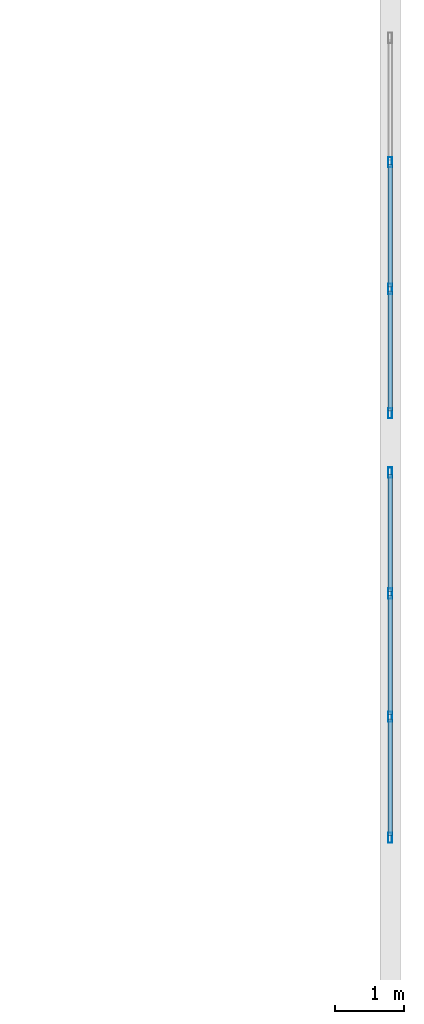
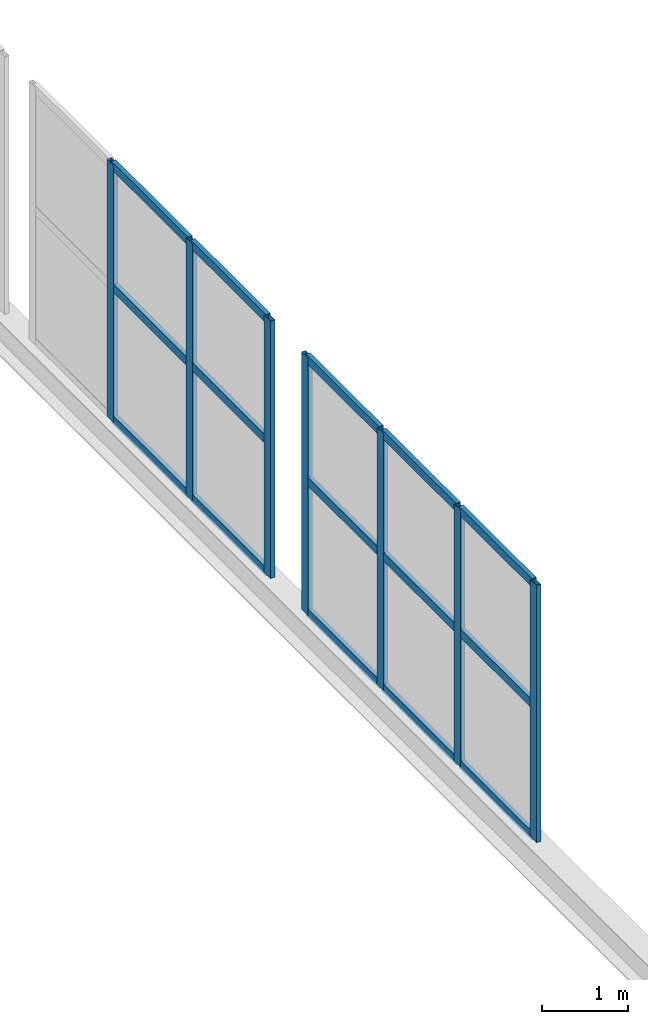
# One storey, part 157 of 218: 22 members, 2 elements without a shape of their own.
"""IFC4 building model written with IfcOpenShell, lengths in metres."""

from ifc_helpers import new_model, si_unit, direction, frame, origin, origin_2d, place, context, subcontext, project, spatial, hollow_rectangle, extrude, material, material_profile, profile_set, type_object, element, aggregate, save


model = new_model("IFC4")

# Units and contexts
model_context = context("Model", 3, precision=1e-05, world=origin(), true_north=direction((0.0, 1.0)))
body_context = subcontext(model_context, "Body", "Model", "MODEL_VIEW")
ifc_project = project(units=[si_unit("LENGTHUNIT", "METRE"), si_unit("AREAUNIT", "SQUARE_METRE"), si_unit("VOLUMEUNIT", "CUBIC_METRE"), si_unit("PLANEANGLEUNIT", "RADIAN"), si_unit("MASSUNIT", "GRAM", prefix="KILO")], contexts=[model_context])

# Site, building, storey
site_placement = place(None, origin())
site = spatial("IfcSite", under=ifc_project, at=site_placement, CompositionType="ELEMENT")
building_placement = place(site_placement, origin())
building = spatial("IfcBuilding", under=site, at=building_placement, Name="Kazenagashi Tramway Depot", CompositionType="ELEMENT")
storey_placement = place(building_placement, frame((0.0, 0.0, 6.0)))
storey = spatial("IfcBuildingStorey", under=building, at=storey_placement, Name="L02", CompositionType="ELEMENT", Elevation=6.0)

# Curtain wall, members
ifc_material_1 = material(Name="Anodised Aluminium and Low-E Glazing", Category="aluminium")
curtain_wall_type_1 = type_object("IfcCurtainWallType", Name="CW-06", PredefinedType="USERDEFINED", material=ifc_material_1)
curtain_wall_1_placement = place(storey_placement, origin())
curtain_wall_1 = element("IfcCurtainWall", 1, at=curtain_wall_1_placement, inside=storey, type_object=curtain_wall_type_1, Name="Industrial Glazed Screen CW-06 CW-0010", ObjectType="GLAZED SCREEN", PredefinedType="USERDEFINED")
ifc_material_2 = material(Name="Anodised Aluminium", Category="aluminium")
ifc_material_profile_1 = material_profile(ifc_material_2, hollow_rectangle(XDim=0.06, YDim=0.15, WallThickness=0.004, at=origin_2d()), Name="RHS-150x60x4")
ifc_profile_set_1 = profile_set([ifc_material_profile_1], Name="Anodised Aluminium")
member_type_1 = type_object("IfcMemberType", Name="ML-01", PredefinedType="MULLION", material=ifc_profile_set_1)
member_1_placement = place(storey_placement, frame((196.0, 105.03, -0.02), z_axis=(0.0, 0.0, 1.0), x_axis=(-1.0, 0.0, 0.0)))
member_1 = element("IfcMember", 2, at=member_1_placement, type_object=member_type_1, Name="CW-06 mullion 1", PredefinedType="MULLION", context=body_context, shape_type="SweptSolid", body=[
    extrude(hollow_rectangle(XDim=0.06, YDim=0.15, WallThickness=0.004, at=origin_2d()), origin(), (0.0, 0.0, 1.0), 3.632),
])
member_2_placement = place(storey_placement, frame((196.0, 106.783333, -0.02), z_axis=(0.0, 0.0, 1.0), x_axis=(-1.0, 0.0, 0.0)))
member_2 = element("IfcMember", 3, at=member_2_placement, type_object=member_type_1, Name="CW-06 mullion 2", PredefinedType="MULLION", context=body_context, shape_type="SweptSolid", body=[
    extrude(hollow_rectangle(XDim=0.06, YDim=0.15, WallThickness=0.004, at=origin_2d()), origin(), (0.0, 0.0, 1.0), 3.632),
])
member_3_placement = place(storey_placement, frame((196.0, 108.566667, -0.02), z_axis=(0.0, 0.0, 1.0), x_axis=(-1.0, 0.0, 0.0)))
member_3 = element("IfcMember", 4, at=member_3_placement, type_object=member_type_1, Name="CW-06 mullion 3", PredefinedType="MULLION", context=body_context, shape_type="SweptSolid", body=[
    extrude(hollow_rectangle(XDim=0.06, YDim=0.15, WallThickness=0.004, at=origin_2d()), origin(), (0.0, 0.0, 1.0), 3.632),
])
member_4_placement = place(storey_placement, frame((196.0, 110.32, -0.02), z_axis=(0.0, 0.0, 1.0), x_axis=(-1.0, 0.0, 0.0)))
member_4 = element("IfcMember", 5, at=member_4_placement, type_object=member_type_1, Name="CW-06 mullion 4", PredefinedType="MULLION", context=body_context, shape_type="SweptSolid", body=[
    extrude(hollow_rectangle(XDim=0.06, YDim=0.15, WallThickness=0.004, at=origin_2d()), origin(), (0.0, 0.0, 1.0), 3.632),
])

curtain_wall_type_2 = type_object("IfcCurtainWallType", Name="CW-08", PredefinedType="USERDEFINED", material=ifc_material_1)
curtain_wall_2_placement = place(storey_placement, origin())
curtain_wall_2 = element("IfcCurtainWall", 6, at=curtain_wall_2_placement, inside=storey, type_object=curtain_wall_type_2, Name="Industrial Glazed Screen CW-08 CW-0012", ObjectType="GLAZED SCREEN", PredefinedType="USERDEFINED")
member_5_placement = place(storey_placement, frame((196.0, 111.18, -0.02), z_axis=(0.0, 0.0, 1.0), x_axis=(-1.0, 0.0, 0.0)))
member_5 = element("IfcMember", 7, at=member_5_placement, type_object=member_type_1, Name="CW-08 mullion 1", PredefinedType="MULLION", context=body_context, shape_type="SweptSolid", body=[
    extrude(hollow_rectangle(XDim=0.06, YDim=0.15, WallThickness=0.004, at=origin_2d()), origin(), (0.0, 0.0, 1.0), 3.632),
])
member_6_placement = place(storey_placement, frame((196.0, 112.983333, -0.02), z_axis=(0.0, 0.0, 1.0), x_axis=(-1.0, 0.0, 0.0)))
member_6 = element("IfcMember", 8, at=member_6_placement, type_object=member_type_1, Name="CW-08 mullion 2", PredefinedType="MULLION", context=body_context, shape_type="SweptSolid", body=[
    extrude(hollow_rectangle(XDim=0.06, YDim=0.15, WallThickness=0.004, at=origin_2d()), origin(), (0.0, 0.0, 1.0), 3.632),
])
member_7_placement = place(storey_placement, frame((196.0, 114.816667, -0.02), z_axis=(0.0, 0.0, 1.0), x_axis=(-1.0, 0.0, 0.0)))
member_7 = element("IfcMember", 9, at=member_7_placement, type_object=member_type_1, Name="CW-08 mullion 3", PredefinedType="MULLION", context=body_context, shape_type="SweptSolid", body=[
    extrude(hollow_rectangle(XDim=0.06, YDim=0.15, WallThickness=0.004, at=origin_2d()), origin(), (0.0, 0.0, 1.0), 3.632),
])

# Member
ifc_material_profile_2 = material_profile(ifc_material_2, hollow_rectangle(XDim=0.06, YDim=0.12, WallThickness=0.004, at=origin_2d()), Name="RHS-120x60x4")
ifc_profile_set_2 = profile_set([ifc_material_profile_2], Name="Anodised Aluminium")
member_type_2 = type_object("IfcMemberType", Name="TR-01", PredefinedType="USERDEFINED", material=ifc_profile_set_2)
member_8_placement = place(storey_placement, frame((196.0, 105.06, 0.01), z_axis=(0.0, 1.0, 0.0), x_axis=(-1.0, 0.0, 0.0)))
member_8 = element("IfcMember", 10, at=member_8_placement, type_object=member_type_2, Name="CW-06 transom 1.1", ObjectType="TRANSOM", PredefinedType="USERDEFINED", context=body_context, shape_type="SweptSolid", body=[
    extrude(hollow_rectangle(XDim=0.06, YDim=0.12, WallThickness=0.004, at=origin_2d()), origin(), (0.0, 0.0, 1.0), 1.693333),
])

member_9_placement = place(storey_placement, frame((196.0, 105.06, 1.869), z_axis=(0.0, 1.0, 0.0), x_axis=(-1.0, 0.0, 0.0)))
member_9 = element("IfcMember", 11, at=member_9_placement, type_object=member_type_2, Name="CW-06 transom 1.2", ObjectType="TRANSOM", PredefinedType="USERDEFINED", context=body_context, shape_type="SweptSolid", body=[
    extrude(hollow_rectangle(XDim=0.06, YDim=0.12, WallThickness=0.004, at=origin_2d()), origin(), (0.0, 0.0, 1.0), 1.693333),
])

member_10_placement = place(storey_placement, frame((196.0, 105.06, 3.582), z_axis=(0.0, 1.0, 0.0), x_axis=(-1.0, 0.0, 0.0)))
member_10 = element("IfcMember", 12, at=member_10_placement, type_object=member_type_2, Name="CW-06 transom 1.3", ObjectType="TRANSOM", PredefinedType="USERDEFINED", context=body_context, shape_type="SweptSolid", body=[
    extrude(hollow_rectangle(XDim=0.06, YDim=0.12, WallThickness=0.004, at=origin_2d()), origin(), (0.0, 0.0, 1.0), 1.693333),
])

member_11_placement = place(storey_placement, frame((196.0, 106.813333, 0.01), z_axis=(0.0, 1.0, 0.0), x_axis=(-1.0, 0.0, 0.0)))
member_11 = element("IfcMember", 13, at=member_11_placement, type_object=member_type_2, Name="CW-06 transom 2.1", ObjectType="TRANSOM", PredefinedType="USERDEFINED", context=body_context, shape_type="SweptSolid", body=[
    extrude(hollow_rectangle(XDim=0.06, YDim=0.12, WallThickness=0.004, at=origin_2d()), origin(), (0.0, 0.0, 1.0), 1.723334),
])

member_12_placement = place(storey_placement, frame((196.0, 106.813333, 1.869), z_axis=(0.0, 1.0, 0.0), x_axis=(-1.0, 0.0, 0.0)))
member_12 = element("IfcMember", 14, at=member_12_placement, type_object=member_type_2, Name="CW-06 transom 2.2", ObjectType="TRANSOM", PredefinedType="USERDEFINED", context=body_context, shape_type="SweptSolid", body=[
    extrude(hollow_rectangle(XDim=0.06, YDim=0.12, WallThickness=0.004, at=origin_2d()), origin(), (0.0, 0.0, 1.0), 1.723334),
])

member_13_placement = place(storey_placement, frame((196.0, 106.813333, 3.582), z_axis=(0.0, 1.0, 0.0), x_axis=(-1.0, 0.0, 0.0)))
member_13 = element("IfcMember", 15, at=member_13_placement, type_object=member_type_2, Name="CW-06 transom 2.3", ObjectType="TRANSOM", PredefinedType="USERDEFINED", context=body_context, shape_type="SweptSolid", body=[
    extrude(hollow_rectangle(XDim=0.06, YDim=0.12, WallThickness=0.004, at=origin_2d()), origin(), (0.0, 0.0, 1.0), 1.723334),
])

member_14_placement = place(storey_placement, frame((196.0, 108.596667, 0.01), z_axis=(0.0, 1.0, 0.0), x_axis=(-1.0, 0.0, 0.0)))
member_14 = element("IfcMember", 16, at=member_14_placement, type_object=member_type_2, Name="CW-06 transom 3.1", ObjectType="TRANSOM", PredefinedType="USERDEFINED", context=body_context, shape_type="SweptSolid", body=[
    extrude(hollow_rectangle(XDim=0.06, YDim=0.12, WallThickness=0.004, at=origin_2d()), origin(), (0.0, 0.0, 1.0), 1.693333),
])

member_15_placement = place(storey_placement, frame((196.0, 108.596667, 1.869), z_axis=(0.0, 1.0, 0.0), x_axis=(-1.0, 0.0, 0.0)))
member_15 = element("IfcMember", 17, at=member_15_placement, type_object=member_type_2, Name="CW-06 transom 3.2", ObjectType="TRANSOM", PredefinedType="USERDEFINED", context=body_context, shape_type="SweptSolid", body=[
    extrude(hollow_rectangle(XDim=0.06, YDim=0.12, WallThickness=0.004, at=origin_2d()), origin(), (0.0, 0.0, 1.0), 1.693333),
])

member_16_placement = place(storey_placement, frame((196.0, 108.596667, 3.582), z_axis=(0.0, 1.0, 0.0), x_axis=(-1.0, 0.0, 0.0)))
member_16 = element("IfcMember", 18, at=member_16_placement, type_object=member_type_2, Name="CW-06 transom 3.3", ObjectType="TRANSOM", PredefinedType="USERDEFINED", context=body_context, shape_type="SweptSolid", body=[
    extrude(hollow_rectangle(XDim=0.06, YDim=0.12, WallThickness=0.004, at=origin_2d()), origin(), (0.0, 0.0, 1.0), 1.693333),
])

aggregate(curtain_wall_1, [member_1, member_2, member_3, member_4, member_8, member_9, member_10, member_11, member_12, member_13, member_14, member_15, member_16])

member_17_placement = place(storey_placement, frame((196.0, 111.21, 0.01), z_axis=(0.0, 1.0, 0.0), x_axis=(-1.0, 0.0, 0.0)))
member_17 = element("IfcMember", 19, at=member_17_placement, type_object=member_type_2, Name="CW-08 transom 1.1", ObjectType="TRANSOM", PredefinedType="USERDEFINED", context=body_context, shape_type="SweptSolid", body=[
    extrude(hollow_rectangle(XDim=0.06, YDim=0.12, WallThickness=0.004, at=origin_2d()), origin(), (0.0, 0.0, 1.0), 1.743333),
])

member_18_placement = place(storey_placement, frame((196.0, 111.21, 1.869), z_axis=(0.0, 1.0, 0.0), x_axis=(-1.0, 0.0, 0.0)))
member_18 = element("IfcMember", 20, at=member_18_placement, type_object=member_type_2, Name="CW-08 transom 1.2", ObjectType="TRANSOM", PredefinedType="USERDEFINED", context=body_context, shape_type="SweptSolid", body=[
    extrude(hollow_rectangle(XDim=0.06, YDim=0.12, WallThickness=0.004, at=origin_2d()), origin(), (0.0, 0.0, 1.0), 1.743333),
])

member_19_placement = place(storey_placement, frame((196.0, 111.21, 3.582), z_axis=(0.0, 1.0, 0.0), x_axis=(-1.0, 0.0, 0.0)))
member_19 = element("IfcMember", 21, at=member_19_placement, type_object=member_type_2, Name="CW-08 transom 1.3", ObjectType="TRANSOM", PredefinedType="USERDEFINED", context=body_context, shape_type="SweptSolid", body=[
    extrude(hollow_rectangle(XDim=0.06, YDim=0.12, WallThickness=0.004, at=origin_2d()), origin(), (0.0, 0.0, 1.0), 1.743333),
])

member_20_placement = place(storey_placement, frame((196.0, 113.013333, 0.01), z_axis=(0.0, 1.0, 0.0), x_axis=(-1.0, 0.0, 0.0)))
member_20 = element("IfcMember", 22, at=member_20_placement, type_object=member_type_2, Name="CW-08 transom 2.1", ObjectType="TRANSOM", PredefinedType="USERDEFINED", context=body_context, shape_type="SweptSolid", body=[
    extrude(hollow_rectangle(XDim=0.06, YDim=0.12, WallThickness=0.004, at=origin_2d()), origin(), (0.0, 0.0, 1.0), 1.773334),
])

member_21_placement = place(storey_placement, frame((196.0, 113.013333, 1.869), z_axis=(0.0, 1.0, 0.0), x_axis=(-1.0, 0.0, 0.0)))
member_21 = element("IfcMember", 23, at=member_21_placement, type_object=member_type_2, Name="CW-08 transom 2.2", ObjectType="TRANSOM", PredefinedType="USERDEFINED", context=body_context, shape_type="SweptSolid", body=[
    extrude(hollow_rectangle(XDim=0.06, YDim=0.12, WallThickness=0.004, at=origin_2d()), origin(), (0.0, 0.0, 1.0), 1.773334),
])

member_22_placement = place(storey_placement, frame((196.0, 113.013333, 3.582), z_axis=(0.0, 1.0, 0.0), x_axis=(-1.0, 0.0, 0.0)))
member_22 = element("IfcMember", 24, at=member_22_placement, type_object=member_type_2, Name="CW-08 transom 2.3", ObjectType="TRANSOM", PredefinedType="USERDEFINED", context=body_context, shape_type="SweptSolid", body=[
    extrude(hollow_rectangle(XDim=0.06, YDim=0.12, WallThickness=0.004, at=origin_2d()), origin(), (0.0, 0.0, 1.0), 1.773334),
])

aggregate(curtain_wall_2, [member_5, member_6, member_7, member_17, member_18, member_19, member_20, member_21, member_22])

save(model, "model.ifc")
